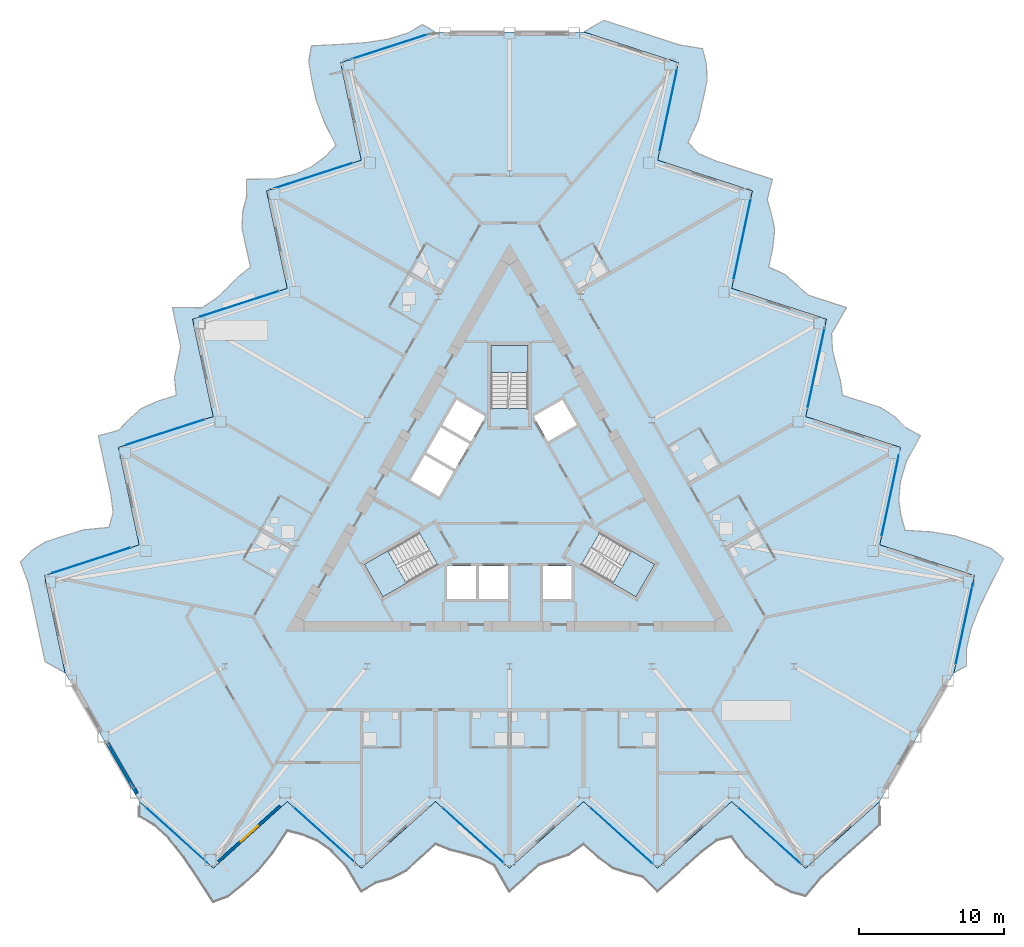
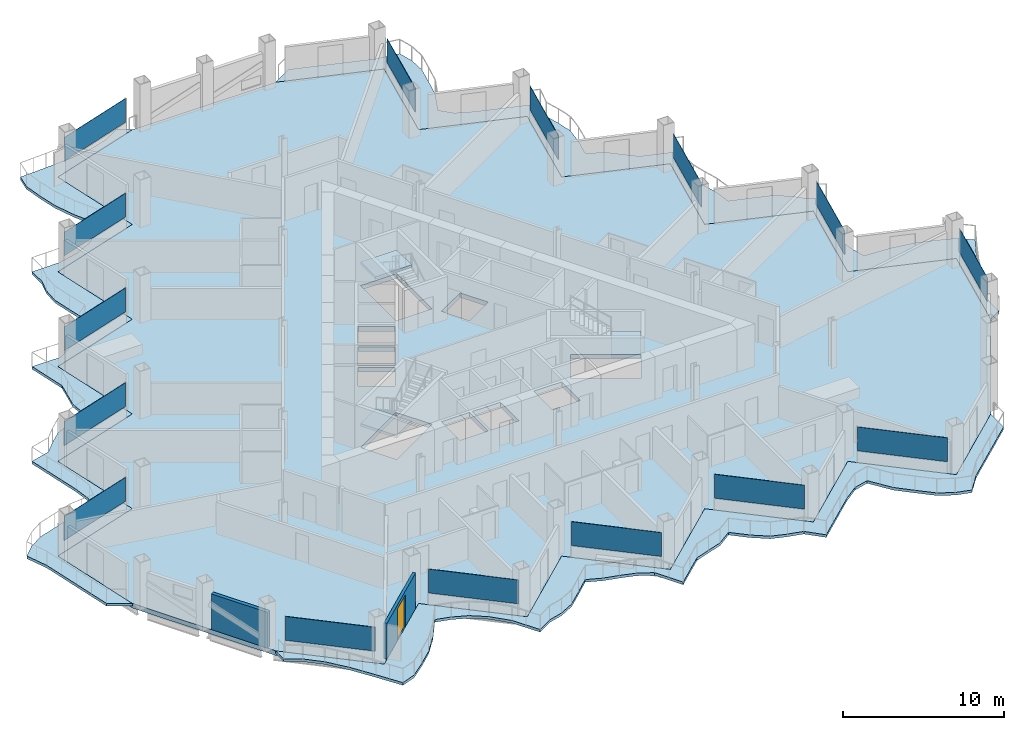
# One storey, part 9 of 23: 15 plates, 7 slabs, 2 walls, 1 door, 1 opening, 18 elements without a shape of their own.
"""IFC4 building model written with IfcOpenShell, lengths in metres."""

import ifcopenshell
import ifcopenshell.guid

model = None  # the IFC model being written
_history = None  # IfcOwnerHistory: only IFC2X3 demands one
_inside = {}  # id of a spatial element -> (the spatial element, [elements in it])
_under = {}  # id of a project, library or spatial element -> (it, [spatial elements below it])
_declared = {}  # id of a project -> (the project, [libraries it declares])
_typed = {}  # id of a type object -> (the type object, [elements of that type])
_made_of = {}  # id of a material, layer set ... -> (it, [elements and type objects made of it])


def new_model(schema):
    """Start an empty IFC model of exactly this schema.

    Asked for "IFC4X3", IfcOpenShell would pick the latest addendum, in which some entities
    have other attributes; the version numbers below select the first issue.
    IFC2X3 requires an IfcOwnerHistory on every rooted entity: one is made here for all.
    """
    global model, _history
    if schema == "IFC4X3":
        model = ifcopenshell.file(schema_version=(4, 3, 0, 0))
    else:
        model = ifcopenshell.file(schema=schema)
    _inside.clear()
    _under.clear()
    _declared.clear()
    _typed.clear()
    _made_of.clear()
    _history = None
    if model.schema == "IFC2X3":
        org = make("IfcOrganization", Name="unknown")
        user = make(
            "IfcPersonAndOrganization",
            ThePerson=make("IfcPerson", FamilyName="unknown"),
            TheOrganization=org,
        )
        app = make(
            "IfcApplication",
            ApplicationDeveloper=org,
            Version="unknown",
            ApplicationFullName="unknown",
            ApplicationIdentifier="unknown",
        )
        _history = make(
            "IfcOwnerHistory",
            OwningUser=user,
            OwningApplication=app,
            ChangeAction="ADDED",
            CreationDate=0,
        )
    return model


def make(cls, **values):
    """One entity of the class cls with the attributes given. An attribute that is None is left unset."""
    return model.create_entity(
        cls, **{name: value for name, value in values.items() if value is not None}
    )


def rooted(cls, **values):
    """An entity with a GlobalId (a new one), such as an element, a storey or a relation."""
    return make(cls, GlobalId=ifcopenshell.guid.new(), OwnerHistory=_history, **values)


def si_unit(unit_type, name, prefix=None):
    """IfcSIUnit, for example si_unit("LENGTHUNIT", "METRE", prefix="MILLI")."""
    return make("IfcSIUnit", UnitType=unit_type, Prefix=prefix, Name=name)


def assignment(units):
    """IfcUnitAssignment: the units of a project."""
    return None if units is None else make("IfcUnitAssignment", Units=units)


def point(xyz):
    """IfcCartesianPoint."""
    return None if xyz is None else make("IfcCartesianPoint", Coordinates=xyz)


def direction(xyz):
    """IfcDirection."""
    return None if xyz is None else make("IfcDirection", DirectionRatios=xyz)


def frame(location, z_axis=None, x_axis=None):
    """IfcAxis2Placement3D, a coordinate frame: its origin and axes. An axis left out is left unset."""
    return make(
        "IfcAxis2Placement3D",
        Location=point(location),
        Axis=direction(z_axis),
        RefDirection=direction(x_axis),
    )


def frame_2d(location, x_axis=None):
    """IfcAxis2Placement2D, a coordinate frame in the plane: its origin and x axis."""
    return make(
        "IfcAxis2Placement2D", Location=point(location), RefDirection=direction(x_axis)
    )


def origin():
    """The frame at (0, 0, 0) with its axes left unset."""
    return frame((0.0, 0.0, 0.0))


def origin_2d():
    """The frame at (0, 0) in the plane with its x axis left unset."""
    return frame_2d((0.0, 0.0))


def place(relative_to, where):
    """IfcLocalPlacement: puts the frame where relative to a parent placement (None: the world)."""
    return make(
        "IfcLocalPlacement", PlacementRelTo=relative_to, RelativePlacement=where
    )


def context(
    kind, dimensions, precision=None, world=None, true_north=None, identifier=None
):
    """IfcGeometricRepresentationContext, for example the 3D "Model" context."""
    return make(
        "IfcGeometricRepresentationContext",
        ContextIdentifier=identifier,
        ContextType=kind,
        CoordinateSpaceDimension=dimensions,
        Precision=precision,
        WorldCoordinateSystem=world,
        TrueNorth=true_north,
    )


def subcontext(parent, identifier, kind, view, scale=None):
    """IfcGeometricRepresentationSubContext, for example "Body" below "Model"."""
    return make(
        "IfcGeometricRepresentationSubContext",
        ContextIdentifier=identifier,
        ContextType=kind,
        ParentContext=parent,
        TargetScale=scale,
        TargetView=view,
    )


def project(units=None, contexts=None):
    """IfcProject with its units and contexts."""
    return rooted(
        "IfcProject",
        Name="project",
        RepresentationContexts=contexts,
        UnitsInContext=assignment(units),
    )


def spatial(cls, under=None, at=None, **own):
    """A site, building, storey or space (cls), placed at a placement, below another one or the project."""
    s = rooted(cls, ObjectPlacement=at, **own)
    if under is not None:
        _under.setdefault(under.id(), (under, []))[1].append(s)
    return s


def polyline(points):
    """IfcPolyline through the points."""
    return make("IfcPolyline", Points=[point(p) for p in points])


def profile(cls, at=None, kind="AREA", **sizes):
    """A parametric profile (cls). Its sizes go by their IFC names, for example OverallWidth=200.0."""
    return make(cls, ProfileType=kind, Position=at, **sizes)


def rectangle(**sizes):
    """IfcRectangleProfileDef."""
    return profile("IfcRectangleProfileDef", **sizes)


def outline(outer, holes=None, kind="AREA"):
    """IfcArbitraryClosedProfileDef: a profile drawn as a closed curve; with holes, ...WithVoids."""
    if holes is None:
        return make("IfcArbitraryClosedProfileDef", ProfileType=kind, OuterCurve=outer)
    return make(
        "IfcArbitraryProfileDefWithVoids",
        ProfileType=kind,
        OuterCurve=outer,
        InnerCurves=holes,
    )


def extrude(swept, where, along, depth):
    """IfcExtrudedAreaSolid: the profile swept, set in the frame where, extruded along a direction by depth."""
    return make(
        "IfcExtrudedAreaSolid",
        SweptArea=swept,
        Position=where,
        ExtrudedDirection=direction(along),
        Depth=depth,
    )


def shape(context_of_items, identifier, shape_type, items):
    """IfcShapeRepresentation: the items that make up one representation, for example the "Body"."""
    return make(
        "IfcShapeRepresentation",
        ContextOfItems=context_of_items,
        RepresentationIdentifier=identifier,
        RepresentationType=shape_type,
        Items=items,
    )


def material(Name=None, Category=None):
    """IfcMaterial."""
    return make("IfcMaterial", Name=Name, Category=Category)


def layer(
    of_material, thickness, ventilated=None, Name=None, Category=None, Priority=None
):
    """IfcMaterialLayer: one layer of a wall or slab, of a material (None: an air gap)."""
    return make(
        "IfcMaterialLayer",
        Material=of_material,
        LayerThickness=thickness,
        IsVentilated=ventilated,
        Name=Name,
        Category=Category,
        Priority=Priority,
    )


def layer_set(layers, Name=None):
    """IfcMaterialLayerSet."""
    return make("IfcMaterialLayerSet", MaterialLayers=layers, LayerSetName=Name)


def made_of(thing, what):
    """Note that an element or type object is made of a material, layer set ...; save() writes the relation."""
    if what is not None:
        _made_of.setdefault(what.id(), (what, []))[1].append(thing)
    return thing


def type_object(cls, material=None, **own):
    """A type object (cls), such as IfcWallType, which elements share."""
    return made_of(rooted(cls, **own), material)


def element(
    cls,
    number,
    at=None,
    inside=None,
    cuts=None,
    type_object=None,
    material=None,
    context=None,
    identifier="Body",
    shape_type=None,
    held_by="IfcProductDefinitionShape",
    body=None,
    shapes=None,
    **own,
):
    """One element of the class cls, such as IfcWall. Its Tag is "e" and its number.

    at: its placement. inside: the storey or other place that contains it. cuts: it is an
    opening in that element (IfcRelVoidsElement). A single representation is given by context,
    identifier, shape_type and body (its items); several are given by shapes. held_by: the class
    of the entity that holds the representations. save() writes the other relations.
    """
    e = rooted(cls, Tag="e%d" % number, ObjectPlacement=at, **own)
    if body is not None:
        shapes = [shape(context, identifier, shape_type, body)]
    if shapes is not None:
        e.Representation = make(held_by, Representations=shapes)
    if inside is not None:
        _inside.setdefault(inside.id(), (inside, []))[1].append(e)
    if cuts is not None:
        rooted(
            "IfcRelVoidsElement", RelatingBuildingElement=cuts, RelatedOpeningElement=e
        )
    if type_object is not None:
        _typed.setdefault(type_object.id(), (type_object, []))[1].append(e)
    return made_of(e, material)


def fill(opening, filler):
    """IfcRelFillsElement: the door or window that sits in an opening."""
    return rooted(
        "IfcRelFillsElement",
        RelatingOpeningElement=opening,
        RelatedBuildingElement=filler,
    )


def aggregate(whole, parts):
    """IfcRelAggregates: a whole, such as a stair, and the parts it consists of."""
    return rooted("IfcRelAggregates", RelatingObject=whole, RelatedObjects=parts)


def save(model, path):
    """Write the relations noted so far, then the file.

    IfcRelAggregates (storeys below a building ...), IfcRelContainedInSpatialStructure (elements
    in a storey), IfcRelDefinesByType, IfcRelAssociatesMaterial and IfcRelDeclares: one each for
    every whole, place, type object, material and project.
    """
    for whole, parts in _under.values():
        aggregate(whole, parts)
    for where, things in _inside.values():
        rooted(
            "IfcRelContainedInSpatialStructure",
            RelatedElements=things,
            RelatingStructure=where,
        )
    for kind, things in _typed.values():
        rooted("IfcRelDefinesByType", RelatedObjects=things, RelatingType=kind)
    for what, things in _made_of.values():
        rooted("IfcRelAssociatesMaterial", RelatedObjects=things, RelatingMaterial=what)
    for by, libraries in _declared.values():
        rooted("IfcRelDeclares", RelatingContext=by, RelatedDefinitions=libraries)
    model.write(path)


model = new_model("IFC4")

# Units and contexts
model_context = context("Model", 3, precision=1e-05, world=origin(), true_north=direction((0.0, 1.0)))
body_context = subcontext(model_context, "Body", "Model", "MODEL_VIEW")
ifc_project = project(units=[si_unit("LENGTHUNIT", "METRE"), si_unit("AREAUNIT", "SQUARE_METRE"), si_unit("VOLUMEUNIT", "CUBIC_METRE"), si_unit("PLANEANGLEUNIT", "RADIAN"), si_unit("MASSUNIT", "GRAM", prefix="KILO")], contexts=[model_context])

# Site, building, storey
site_placement = place(None, origin())
site = spatial("IfcSite", under=ifc_project, at=site_placement, CompositionType="ELEMENT")
building_placement = place(site_placement, origin())
building = spatial("IfcBuilding", under=site, at=building_placement, Name="Cormorant Prow Tower", CompositionType="ELEMENT")
storey_placement = place(building_placement, frame((0.0, 0.0, 172.800048828125)))
storey = spatial("IfcBuildingStorey", under=building, at=storey_placement, Name="L36", CompositionType="ELEMENT", Elevation=172.800048828125)

# Slabs
ifc_material_1 = material(Name="Concrete C40/50", Category="concrete")
ifc_layer_1 = layer(ifc_material_1, 0.199951171875)
ifc_layer_set_1 = layer_set([ifc_layer_1], Name="Concrete C40/50")
slab_type_1 = type_object("IfcSlabType", Name="Balcony slab 200", PredefinedType="FLOOR", material=ifc_layer_set_1)
slab_1_placement = place(storey_placement, frame((0.0, 0.0, -0.199951171875)))
element("IfcSlab", 1, at=slab_1_placement, inside=storey, type_object=slab_type_1, Name="Balcony slab S L36", PredefinedType="FLOOR", context=body_context, shape_type="SweptSolid", body=[
    extrude(outline(polyline([(-25.57861328125, -20.684326171875), (-25.57861328125, -21.700439453125), (-24.555419921875, -22.29296875), (-23.5322265625, -23.231201171875), (-22.509033203125, -24.510498046875), (-21.48583984375, -26.02880859375), (-20.462890625, -27.61572265625), (-19.439697265625, -27.239013671875), (-18.41650390625, -26.398193359375), (-17.393310546875, -25.476806640625), (-16.370361328125, -24.243896484375), (-15.34716796875, -22.6982421875), (-14.323974609375, -22.962646484375), (-13.30078125, -23.3818359375), (-12.277587890625, -24.09912109375), (-11.254638671875, -25.1728515625), (-10.2314453125, -26.890625), (-9.208251953125, -26.283203125), (-8.18505859375, -26.00341796875), (-7.161865234375, -25.476806640625), (-6.138916015625, -24.5556640625), (-5.11572265625, -23.614013671875), (-4.092529296875, -24.0234375), (-3.0693359375, -24.285400390625), (-2.04638671875, -24.58740234375), (-1.023193359375, -25.106689453125), (0.0, -26.890625), (1.023193359375, -25.96923828125), (2.04638671875, -25.048095703125), (3.0693359375, -24.694580078125), (4.092529296875, -24.363525390625), (5.11572265625, -23.63427734375), (6.138916015625, -24.5556640625), (7.161865234375, -25.290771484375), (8.18505859375, -25.6240234375), (9.208251953125, -25.87841796875), (10.2314453125, -26.890625), (11.254638671875, -25.96923828125), (12.277587890625, -25.048095703125), (13.30078125, -24.126953125), (14.323974609375, -23.355712890625), (15.34716796875, -23.0947265625), (16.370361328125, -24.530517578125), (17.393310546875, -25.476806640625), (18.41650390625, -26.398193359375), (19.439697265625, -26.931640625), (20.462890625, -27.212890625), (21.48583984375, -25.96923828125), (22.509033203125, -25.048095703125), (23.5322265625, -24.126953125), (24.555419921875, -23.20556640625), (25.57861328125, -22.284423828125), (25.57861328125, -20.684326171875), (24.555419921875, -21.605712890625), (23.5322265625, -22.52685546875), (22.509033203125, -23.447998046875), (21.48583984375, -24.369384765625), (20.462890625, -25.29052734375), (19.439697265625, -24.369384765625), (18.41650390625, -23.447998046875), (17.393310546875, -22.52685546875), (16.370361328125, -21.605712890625), (15.34716796875, -20.684326171875), (14.323974609375, -21.605712890625), (13.30078125, -22.52685546875), (12.277587890625, -23.447998046875), (11.254638671875, -24.369384765625), (10.2314453125, -25.29052734375), (9.208251953125, -24.369384765625), (8.18505859375, -23.447998046875), (7.161865234375, -22.52685546875), (6.138916015625, -21.605712890625), (5.11572265625, -20.684326171875), (4.092529296875, -21.605712890625), (3.0693359375, -22.52685546875), (2.04638671875, -23.447998046875), (1.023193359375, -24.369384765625), (0.0, -25.29052734375), (-1.023193359375, -24.369384765625), (-2.04638671875, -23.447998046875), (-3.0693359375, -22.52685546875), (-4.092529296875, -21.605712890625), (-5.11572265625, -20.684326171875), (-6.138916015625, -21.605712890625), (-7.161865234375, -22.52685546875), (-8.18505859375, -23.447998046875), (-9.208251953125, -24.369384765625), (-10.2314453125, -25.29052734375), (-11.254638671875, -24.369384765625), (-12.277587890625, -23.447998046875), (-13.30078125, -22.52685546875), (-14.323974609375, -21.605712890625), (-15.34716796875, -20.684326171875), (-16.370361328125, -21.605712890625), (-17.393310546875, -22.52685546875), (-18.41650390625, -23.447998046875), (-19.439697265625, -24.369384765625), (-20.462890625, -25.29052734375), (-21.48583984375, -24.369384765625), (-22.509033203125, -23.447998046875), (-23.5322265625, -22.52685546875), (-24.555419921875, -21.605712890625), (-25.57861328125, -20.684326171875)])), origin(), (0.0, 0.0, 1.0), 0.199951171875),
])
slab_2_placement = place(storey_placement, frame((0.0, 0.0, -0.199951171875)))
element("IfcSlab", 2, at=slab_2_placement, inside=storey, type_object=slab_type_1, Name="Balcony slab ENE L36", PredefinedType="FLOOR", context=body_context, shape_type="SweptSolid", body=[
    extrude(outline(polyline([(30.702392578125, -11.8095703125), (31.58251953125, -11.301513671875), (31.583984375, -10.119140625), (31.885009765625, -8.763916015625), (32.4814453125, -7.238037109375), (33.28466796875, -5.593017578125), (34.1474609375, -3.913330078125), (33.309326171875, -3.2158203125), (32.069580078125, -2.750244140625), (30.76025390625, -2.32470703125), (29.180908203125, -2.05517578125), (27.330810546875, -1.94189453125), (27.048095703125, -0.923583984375), (26.899658203125, 0.172119140625), (27.00927734375, 1.416748046875), (27.427490234375, 2.839599609375), (28.403564453125, 4.584716796875), (27.3662109375, 5.1669921875), (26.612060546875, 5.9130859375), (25.64453125, 6.535888671875), (24.335205078125, 6.96142578125), (23.008056640625, 7.376708984375), (22.851318359375, 8.467529296875), (22.56640625, 9.484375), (22.316650390625, 10.521728515625), (22.254638671875, 11.667236328125), (23.287841796875, 13.4453125), (21.978515625, 13.870849609375), (20.669189453125, 14.296142578125), (19.851318359375, 15.00537109375), (19.05322265625, 15.72607421875), (17.91015625, 16.24755859375), (18.1962890625, 17.59423828125), (18.321533203125, 18.847900390625), (18.098388671875, 19.900390625), (17.80712890625, 20.913818359375), (18.172119140625, 22.305908203125), (16.86279296875, 22.7314453125), (15.553466796875, 23.15673828125), (14.244140625, 23.582275390625), (13.064697265625, 24.082763671875), (12.3271484375, 24.83837890625), (13.058837890625, 26.4423828125), (13.366943359375, 27.801513671875), (13.653076171875, 29.148193359375), (13.603759765625, 30.301025390625), (13.335693359375, 31.32763671875), (11.7470703125, 31.592041015625), (10.437744140625, 32.017578125), (9.12841796875, 32.44287109375), (7.819091796875, 32.868408203125), (6.509521484375, 33.2939453125), (5.1240234375, 32.493896484375), (6.433349609375, 32.068359375), (7.74267578125, 31.64306640625), (9.052001953125, 31.217529296875), (10.361572265625, 30.7919921875), (11.6708984375, 30.36669921875), (11.384521484375, 29.02001953125), (11.098388671875, 27.67333984375), (10.812255859375, 26.32666015625), (10.52587890625, 24.97998046875), (10.23974609375, 23.63330078125), (11.549072265625, 23.207763671875), (12.8583984375, 22.7822265625), (14.167724609375, 22.35693359375), (15.477294921875, 21.931396484375), (16.78662109375, 21.505859375), (16.500244140625, 20.1591796875), (16.214111328125, 18.8125), (15.927734375, 17.4658203125), (15.6416015625, 16.119140625), (15.35546875, 14.7724609375), (16.664794921875, 14.34716796875), (17.97412109375, 13.921630859375), (19.283447265625, 13.49609375), (20.593017578125, 13.07080078125), (21.90234375, 12.645263671875), (21.615966796875, 11.298583984375), (21.329833984375, 9.951904296875), (21.04345703125, 8.605224609375), (20.75732421875, 7.258544921875), (20.470947265625, 5.911865234375), (21.780517578125, 5.486328125), (23.08984375, 5.06103515625), (24.399169921875, 4.635498046875), (25.70849609375, 4.2099609375), (27.01806640625, 3.78466796875), (26.731689453125, 2.43798828125), (26.445556640625, 1.09130859375), (26.1591796875, -0.25537109375), (25.873046875, -1.60205078125), (25.586669921875, -2.94873046875), (26.896240234375, -3.374267578125), (28.20556640625, -3.7998046875), (29.514892578125, -4.22509765625), (30.82421875, -4.650634765625), (32.1337890625, -5.075927734375), (31.847412109375, -6.422607421875), (31.561279296875, -7.769287109375), (31.27490234375, -9.115966796875), (30.98876953125, -10.462890625), (30.702392578125, -11.8095703125)])), origin(), (0.0, 0.0, 1.0), 0.199951171875),
])
slab_3_placement = place(storey_placement, frame((0.0, 0.0, -0.199951171875)))
element("IfcSlab", 3, at=slab_3_placement, inside=storey, type_object=slab_type_1, Name="Balcony slab WNW L36", PredefinedType="FLOOR", context=body_context, shape_type="SweptSolid", body=[
    extrude(outline(polyline([(-5.1240234375, 32.493896484375), (-6.00390625, 33.001953125), (-7.028564453125, 32.412109375), (-8.352783203125, 31.9951171875), (-9.97216796875, 31.748779296875), (-11.798828125, 31.621826171875), (-13.6845703125, 31.529296875), (-13.869873046875, 30.45458984375), (-13.653076171875, 29.148193359375), (-13.366943359375, 27.801513671875), (-12.810791015625, 26.299072265625), (-11.983642578125, 24.64013671875), (-12.72412109375, 23.88623046875), (-13.598876953125, 23.209716796875), (-14.731689453125, 22.682373046875), (-16.1728515625, 22.3330078125), (-18.172119140625, 22.305908203125), (-18.157958984375, 21.1162109375), (-18.427001953125, 20.09033203125), (-18.482666015625, 18.94091796875), (-18.1962890625, 17.59423828125), (-17.892333984375, 16.2373046875), (-18.7587890625, 15.555908203125), (-19.4970703125, 14.80078125), (-20.270263671875, 14.06591796875), (-21.2314453125, 13.439453125), (-23.287841796875, 13.4453125), (-23.001708984375, 12.0986328125), (-22.71533203125, 10.751953125), (-22.9208984375, 9.68896484375), (-23.145751953125, 8.637451171875), (-23.02587890625, 7.386962890625), (-24.335205078125, 6.96142578125), (-25.4833984375, 6.44287109375), (-26.283447265625, 5.723388671875), (-27.015380859375, 4.964599609375), (-28.403564453125, 4.584716796875), (-28.117431640625, 3.238037109375), (-27.8310546875, 1.891357421875), (-27.544921875, 0.544677734375), (-27.388671875, -0.72705078125), (-27.674072265625, -1.74365234375), (-29.42919921875, -1.911865234375), (-30.76025390625, -2.32470703125), (-32.069580078125, -2.750244140625), (-33.04345703125, -3.369384765625), (-33.79833984375, -4.114990234375), (-33.233154296875, -5.622802734375), (-32.94677734375, -6.969482421875), (-32.66064453125, -8.316162109375), (-32.374267578125, -9.662841796875), (-32.088134765625, -11.009521484375), (-30.702392578125, -11.8095703125), (-30.98876953125, -10.462890625), (-31.27490234375, -9.115966796875), (-31.561279296875, -7.769287109375), (-31.847412109375, -6.422607421875), (-32.1337890625, -5.075927734375), (-30.82421875, -4.650634765625), (-29.514892578125, -4.22509765625), (-28.20556640625, -3.7998046875), (-26.896240234375, -3.374267578125), (-25.586669921875, -2.94873046875), (-25.873046875, -1.60205078125), (-26.1591796875, -0.25537109375), (-26.445556640625, 1.09130859375), (-26.731689453125, 2.43798828125), (-27.01806640625, 3.78466796875), (-25.70849609375, 4.2099609375), (-24.399169921875, 4.635498046875), (-23.08984375, 5.06103515625), (-21.780517578125, 5.486328125), (-20.470947265625, 5.911865234375), (-20.75732421875, 7.258544921875), (-21.04345703125, 8.605224609375), (-21.329833984375, 9.951904296875), (-21.615966796875, 11.298583984375), (-21.90234375, 12.645263671875), (-20.593017578125, 13.07080078125), (-19.283447265625, 13.49609375), (-17.97412109375, 13.921630859375), (-16.664794921875, 14.34716796875), (-15.35546875, 14.7724609375), (-15.6416015625, 16.119140625), (-15.927734375, 17.4658203125), (-16.214111328125, 18.8125), (-16.500244140625, 20.1591796875), (-16.78662109375, 21.505859375), (-15.477294921875, 21.931396484375), (-14.167724609375, 22.35693359375), (-12.8583984375, 22.7822265625), (-11.549072265625, 23.207763671875), (-10.23974609375, 23.63330078125), (-10.52587890625, 24.97998046875), (-10.812255859375, 26.32666015625), (-11.098388671875, 27.67333984375), (-11.384521484375, 29.02001953125), (-11.6708984375, 30.36669921875), (-10.361572265625, 30.7919921875), (-9.052001953125, 31.217529296875), (-7.74267578125, 31.64306640625), (-6.433349609375, 32.068359375), (-5.1240234375, 32.493896484375)])), origin(), (0.0, 0.0, 1.0), 0.199951171875),
])

# Curtain wall, plate
ifc_material_2 = material(Name="Aluminium 6063-T6", Category="aluminium")
ifc_layer_2 = layer(ifc_material_2, 0.179931640625)
ifc_layer_set_2 = layer_set([ifc_layer_2], Name="Aluminium 6063-T6")
curtain_wall_type = type_object("IfcCurtainWallType", Name="Hotel unitised curtain wall 180", PredefinedType="NOTDEFINED", material=ifc_layer_set_2)
curtain_wall_1_placement = place(storey_placement, origin())
curtain_wall_1 = element("IfcCurtainWall", 4, at=curtain_wall_1_placement, inside=storey, type_object=curtain_wall_type, Name="Hotel curtain wall S00", PredefinedType="NOTDEFINED")
ifc_material_3 = material(Name="Clear glass", Category="glass")
ifc_layer_3 = layer(ifc_material_3, 0.028076171875)
ifc_layer_set_3 = layer_set([ifc_layer_3], Name="Clear glass")
plate_type = type_object("IfcPlateType", Name="Hotel glass panel 28", PredefinedType="CURTAIN_PANEL", material=ifc_layer_set_3)
plate_1_placement = place(storey_placement, frame((-22.998291015625, -23.007568359375, 0.89990234375), z_axis=(0.0, 0.0, 1.0), x_axis=(0.743144931764, -0.669130488316, 0.0)))
plate_1 = element("IfcPlate", 5, at=plate_1_placement, type_object=plate_type, Name="Hotel glass panel S00", PredefinedType="CURTAIN_PANEL", context=body_context, shape_type="SweptSolid", body=[
    extrude(rectangle(XDim=5.687744140625, YDim=0.028076171875, at=origin_2d()), origin(), (0.0, 0.0, 1.0), 1.80078125),
])
aggregate(curtain_wall_1, [plate_1])

curtain_wall_2_placement = place(storey_placement, origin())
curtain_wall_2 = element("IfcCurtainWall", 6, at=curtain_wall_2_placement, inside=storey, type_object=curtain_wall_type, Name="Hotel curtain wall S02", PredefinedType="NOTDEFINED")
plate_2_placement = place(storey_placement, frame((-12.766845703125, -23.007568359375, 0.89990234375), z_axis=(0.0, 0.0, 1.0), x_axis=(0.743144866726, -0.669130560548, 0.0)))
plate_2 = element("IfcPlate", 7, at=plate_2_placement, type_object=plate_type, Name="Hotel glass panel S02", PredefinedType="CURTAIN_PANEL", context=body_context, shape_type="SweptSolid", body=[
    extrude(rectangle(XDim=5.687744140625, YDim=0.028076171875, at=origin_2d()), origin(), (0.0, 0.0, 1.0), 1.80078125),
])
aggregate(curtain_wall_2, [plate_2])

curtain_wall_3_placement = place(storey_placement, origin())
curtain_wall_3 = element("IfcCurtainWall", 8, at=curtain_wall_3_placement, inside=storey, type_object=curtain_wall_type, Name="Hotel curtain wall S04", PredefinedType="NOTDEFINED")
plate_3_placement = place(storey_placement, frame((-2.53564453125, -23.007568359375, 0.89990234375), z_axis=(0.0, 0.0, 1.0), x_axis=(0.743144866726, -0.669130560548, 0.0)))
plate_3 = element("IfcPlate", 9, at=plate_3_placement, type_object=plate_type, Name="Hotel glass panel S04", PredefinedType="CURTAIN_PANEL", context=body_context, shape_type="SweptSolid", body=[
    extrude(rectangle(XDim=5.687744140625, YDim=0.028076171875, at=origin_2d()), origin(), (0.0, 0.0, 1.0), 1.80078125),
])
aggregate(curtain_wall_3, [plate_3])

curtain_wall_4_placement = place(storey_placement, origin())
curtain_wall_4 = element("IfcCurtainWall", 10, at=curtain_wall_4_placement, inside=storey, type_object=curtain_wall_type, Name="Hotel curtain wall S06", PredefinedType="NOTDEFINED")
plate_4_placement = place(storey_placement, frame((7.69580078125, -23.007568359375, 0.89990234375), z_axis=(0.0, 0.0, 1.0), x_axis=(0.743144931764, -0.669130488316, 0.0)))
plate_4 = element("IfcPlate", 11, at=plate_4_placement, type_object=plate_type, Name="Hotel glass panel S06", PredefinedType="CURTAIN_PANEL", context=body_context, shape_type="SweptSolid", body=[
    extrude(rectangle(XDim=5.687744140625, YDim=0.028076171875, at=origin_2d()), origin(), (0.0, 0.0, 1.0), 1.80078125),
])
aggregate(curtain_wall_4, [plate_4])

curtain_wall_5_placement = place(storey_placement, origin())
curtain_wall_5 = element("IfcCurtainWall", 12, at=curtain_wall_5_placement, inside=storey, type_object=curtain_wall_type, Name="Hotel curtain wall S08", PredefinedType="NOTDEFINED")
plate_5_placement = place(storey_placement, frame((17.92724609375, -23.007568359375, 0.89990234375), z_axis=(0.0, 0.0, 1.0), x_axis=(0.743144866726, -0.669130560548, 0.0)))
plate_5 = element("IfcPlate", 13, at=plate_5_placement, type_object=plate_type, Name="Hotel glass panel S08", PredefinedType="CURTAIN_PANEL", context=body_context, shape_type="SweptSolid", body=[
    extrude(rectangle(XDim=5.687744140625, YDim=0.028076171875, at=origin_2d()), origin(), (0.0, 0.0, 1.0), 1.80078125),
])
aggregate(curtain_wall_5, [plate_5])

curtain_wall_6_placement = place(storey_placement, origin())
curtain_wall_6 = element("IfcCurtainWall", 14, at=curtain_wall_6_placement, inside=storey, type_object=curtain_wall_type, Name="Hotel curtain wall ENE00", PredefinedType="NOTDEFINED")
plate_6_placement = place(storey_placement, frame((31.42431640625, -8.413330078125, 0.89990234375), z_axis=(0.0, 0.0, 1.0), x_axis=(0.207911728478, 0.978147592729, 0.0)))
plate_6 = element("IfcPlate", 15, at=plate_6_placement, type_object=plate_type, Name="Hotel glass panel ENE00", PredefinedType="CURTAIN_PANEL", context=body_context, shape_type="SweptSolid", body=[
    extrude(rectangle(XDim=5.687744140625, YDim=0.028076171875, at=origin_2d()), origin(), (0.0, 0.0, 1.0), 1.80078125),
])
aggregate(curtain_wall_6, [plate_6])

curtain_wall_7_placement = place(storey_placement, origin())
curtain_wall_7 = element("IfcCurtainWall", 16, at=curtain_wall_7_placement, inside=storey, type_object=curtain_wall_type, Name="Hotel curtain wall ENE02", PredefinedType="NOTDEFINED")
plate_7_placement = place(storey_placement, frame((26.30859375, 0.447265625, 0.89990234375), z_axis=(0.0, 0.0, 1.0), x_axis=(0.207911589496, 0.97814762227, 0.0)))
plate_7 = element("IfcPlate", 17, at=plate_7_placement, type_object=plate_type, Name="Hotel glass panel ENE02", PredefinedType="CURTAIN_PANEL", context=body_context, shape_type="SweptSolid", body=[
    extrude(rectangle(XDim=5.687744140625, YDim=0.028076171875, at=origin_2d()), origin(), (0.0, 0.0, 1.0), 1.80078125),
])
aggregate(curtain_wall_7, [plate_7])

curtain_wall_8_placement = place(storey_placement, origin())
curtain_wall_8 = element("IfcCurtainWall", 18, at=curtain_wall_8_placement, inside=storey, type_object=curtain_wall_type, Name="Hotel curtain wall ENE04", PredefinedType="NOTDEFINED")
plate_8_placement = place(storey_placement, frame((21.19287109375, 9.307861328125, 0.89990234375), z_axis=(0.0, 0.0, 1.0), x_axis=(0.207911698927, 0.97814759901, 0.0)))
plate_8 = element("IfcPlate", 19, at=plate_8_placement, type_object=plate_type, Name="Hotel glass panel ENE04", PredefinedType="CURTAIN_PANEL", context=body_context, shape_type="SweptSolid", body=[
    extrude(rectangle(XDim=5.687744140625, YDim=0.028076171875, at=origin_2d()), origin(), (0.0, 0.0, 1.0), 1.80078125),
])
aggregate(curtain_wall_8, [plate_8])

curtain_wall_9_placement = place(storey_placement, origin())
curtain_wall_9 = element("IfcCurtainWall", 20, at=curtain_wall_9_placement, inside=storey, type_object=curtain_wall_type, Name="Hotel curtain wall ENE06", PredefinedType="NOTDEFINED")
plate_9_placement = place(storey_placement, frame((16.0771484375, 18.168701171875, 0.89990234375), z_axis=(0.0, 0.0, 1.0), x_axis=(0.207911728478, 0.978147592729, 0.0)))
plate_9 = element("IfcPlate", 21, at=plate_9_placement, type_object=plate_type, Name="Hotel glass panel ENE06", PredefinedType="CURTAIN_PANEL", context=body_context, shape_type="SweptSolid", body=[
    extrude(rectangle(XDim=5.687744140625, YDim=0.028076171875, at=origin_2d()), origin(), (0.0, 0.0, 1.0), 1.80078125),
])
aggregate(curtain_wall_9, [plate_9])

curtain_wall_10_placement = place(storey_placement, origin())
curtain_wall_10 = element("IfcCurtainWall", 22, at=curtain_wall_10_placement, inside=storey, type_object=curtain_wall_type, Name="Hotel curtain wall ENE08", PredefinedType="NOTDEFINED")
plate_10_placement = place(storey_placement, frame((10.96142578125, 27.029296875, 0.89990234375), z_axis=(0.0, 0.0, 1.0), x_axis=(0.207911728478, 0.978147592729, 0.0)))
plate_10 = element("IfcPlate", 23, at=plate_10_placement, type_object=plate_type, Name="Hotel glass panel ENE08", PredefinedType="CURTAIN_PANEL", context=body_context, shape_type="SweptSolid", body=[
    extrude(rectangle(XDim=5.687744140625, YDim=0.028076171875, at=origin_2d()), origin(), (0.0, 0.0, 1.0), 1.80078125),
])
aggregate(curtain_wall_10, [plate_10])

curtain_wall_11_placement = place(storey_placement, origin())
curtain_wall_11 = element("IfcCurtainWall", 24, at=curtain_wall_11_placement, inside=storey, type_object=curtain_wall_type, Name="Hotel curtain wall WNW00", PredefinedType="NOTDEFINED")
plate_11_placement = place(storey_placement, frame((-8.426025390625, 31.4208984375, 0.89990234375), z_axis=(0.0, 0.0, 1.0), x_axis=(-0.951056492009, -0.309017069121, 0.0)))
plate_11 = element("IfcPlate", 25, at=plate_11_placement, type_object=plate_type, Name="Hotel glass panel WNW00", PredefinedType="CURTAIN_PANEL", context=body_context, shape_type="SweptSolid", body=[
    extrude(rectangle(XDim=5.687744140625, YDim=0.028076171875, at=origin_2d()), origin(), (0.0, 0.0, 1.0), 1.80078125),
])
aggregate(curtain_wall_11, [plate_11])

curtain_wall_12_placement = place(storey_placement, origin())
curtain_wall_12 = element("IfcCurtainWall", 26, at=curtain_wall_12_placement, inside=storey, type_object=curtain_wall_type, Name="Hotel curtain wall WNW02", PredefinedType="NOTDEFINED")
plate_12_placement = place(storey_placement, frame((-13.541748046875, 22.560302734375, 0.89990234375), z_axis=(0.0, 0.0, 1.0), x_axis=(-0.951056492009, -0.309017069121, 0.0)))
plate_12 = element("IfcPlate", 27, at=plate_12_placement, type_object=plate_type, Name="Hotel glass panel WNW02", PredefinedType="CURTAIN_PANEL", context=body_context, shape_type="SweptSolid", body=[
    extrude(rectangle(XDim=5.687744140625, YDim=0.028076171875, at=origin_2d()), origin(), (0.0, 0.0, 1.0), 1.80078125),
])
aggregate(curtain_wall_12, [plate_12])

curtain_wall_13_placement = place(storey_placement, origin())
curtain_wall_13 = element("IfcCurtainWall", 28, at=curtain_wall_13_placement, inside=storey, type_object=curtain_wall_type, Name="Hotel curtain wall WNW04", PredefinedType="NOTDEFINED")
plate_13_placement = place(storey_placement, frame((-18.657470703125, 13.69970703125, 0.89990234375), z_axis=(0.0, 0.0, 1.0), x_axis=(-0.951056534703, -0.309016937722, 0.0)))
plate_13 = element("IfcPlate", 29, at=plate_13_placement, type_object=plate_type, Name="Hotel glass panel WNW04", PredefinedType="CURTAIN_PANEL", context=body_context, shape_type="SweptSolid", body=[
    extrude(rectangle(XDim=5.687744140625, YDim=0.028076171875, at=origin_2d()), origin(), (0.0, 0.0, 1.0), 1.80078125),
])
aggregate(curtain_wall_13, [plate_13])

curtain_wall_14_placement = place(storey_placement, origin())
curtain_wall_14 = element("IfcCurtainWall", 30, at=curtain_wall_14_placement, inside=storey, type_object=curtain_wall_type, Name="Hotel curtain wall WNW06", PredefinedType="NOTDEFINED")
plate_14_placement = place(storey_placement, frame((-23.77294921875, 4.8388671875, 0.89990234375), z_axis=(0.0, 0.0, 1.0), x_axis=(-0.951056534703, -0.309016937722, 0.0)))
plate_14 = element("IfcPlate", 31, at=plate_14_placement, type_object=plate_type, Name="Hotel glass panel WNW06", PredefinedType="CURTAIN_PANEL", context=body_context, shape_type="SweptSolid", body=[
    extrude(rectangle(XDim=5.687744140625, YDim=0.028076171875, at=origin_2d()), origin(), (0.0, 0.0, 1.0), 1.80078125),
])
aggregate(curtain_wall_14, [plate_14])

curtain_wall_15_placement = place(storey_placement, origin())
curtain_wall_15 = element("IfcCurtainWall", 32, at=curtain_wall_15_placement, inside=storey, type_object=curtain_wall_type, Name="Hotel curtain wall WNW08", PredefinedType="NOTDEFINED")
plate_15_placement = place(storey_placement, frame((-28.888671875, -4.021728515625, 0.89990234375), z_axis=(0.0, 0.0, 1.0), x_axis=(-0.951056492009, -0.309017069121, 0.0)))
plate_15 = element("IfcPlate", 33, at=plate_15_placement, type_object=plate_type, Name="Hotel glass panel WNW08", PredefinedType="CURTAIN_PANEL", context=body_context, shape_type="SweptSolid", body=[
    extrude(rectangle(XDim=5.687744140625, YDim=0.028076171875, at=origin_2d()), origin(), (0.0, 0.0, 1.0), 1.80078125),
])
aggregate(curtain_wall_15, [plate_15])

# Slab
ifc_material_4 = material(Name="Concrete C40/50", Category="concrete")
ifc_layer_4 = layer(ifc_material_4, 0.35009765625)
ifc_layer_set_4 = layer_set([ifc_layer_4], Name="Concrete C40/50")
slab_type_2 = type_object("IfcSlabType", Name="Post-tensioned flat slab 350", PredefinedType="FLOOR", material=ifc_layer_set_4)
slab_4_placement = place(storey_placement, frame((0.0, 0.0, -0.35009765625)))
element("IfcSlab", 34, at=slab_4_placement, inside=storey, type_object=slab_type_2, Name="Floor slab L36", PredefinedType="FLOOR", context=body_context, shape_type="SweptSolid", body=[
    extrude(outline(polyline([(-10.23974609375, 23.63330078125), (-16.78662109375, 21.505859375), (-15.35546875, 14.7724609375), (-21.90234375, 12.645263671875), (-20.470947265625, 5.911865234375), (-27.01806640625, 3.78466796875), (-25.586669921875, -2.94873046875), (-32.1337890625, -5.075927734375), (-30.702392578125, -11.8095703125), (-28.140380859375, -16.246826171875), (-25.57861328125, -20.684326171875), (-20.462890625, -25.29052734375), (-15.34716796875, -20.684326171875), (-10.2314453125, -25.29052734375), (-5.11572265625, -20.684326171875), (0.0, -25.29052734375), (5.11572265625, -20.684326171875), (10.2314453125, -25.29052734375), (15.34716796875, -20.684326171875), (20.462890625, -25.29052734375), (25.57861328125, -20.684326171875), (28.140380859375, -16.246826171875), (30.702392578125, -11.8095703125), (32.1337890625, -5.075927734375), (25.586669921875, -2.94873046875), (27.01806640625, 3.78466796875), (20.470947265625, 5.911865234375), (21.90234375, 12.645263671875), (15.35546875, 14.7724609375), (16.78662109375, 21.505859375), (10.23974609375, 23.63330078125), (11.6708984375, 30.36669921875), (5.1240234375, 32.493896484375), (0.0, 32.493896484375), (-5.1240234375, 32.493896484375), (-11.6708984375, 30.36669921875), (-10.23974609375, 23.63330078125)]), holes=[polyline([(-4.300048828125, -4.39990234375), (-2.300048828125, -4.39990234375), (-2.300048828125, -6.699951171875), (-4.300048828125, -6.699951171875), (-4.300048828125, -4.39990234375)]), polyline([(-0.10009765625, -4.39990234375), (-0.10009765625, -6.699951171875), (-2.10009765625, -6.699951171875), (-2.10009765625, -4.39990234375), (-0.10009765625, -4.39990234375)]), polyline([(4.300048828125, -6.699951171875), (2.300048828125, -6.699951171875), (2.300048828125, -4.39990234375), (4.300048828125, -4.39990234375), (4.300048828125, -6.699951171875)]), polyline([(4.65234375, 5.341796875), (2.660400390625, 4.19189453125), (1.660400390625, 5.923828125), (3.65234375, 7.073974609375), (4.65234375, 5.341796875)]), polyline([(-1.660400390625, 5.923828125), (-2.660400390625, 4.19189453125), (-4.65234375, 5.341796875), (-3.65234375, 7.073974609375), (-1.660400390625, 5.923828125)]), polyline([(-3.760498046875, 2.28662109375), (-5.75244140625, 3.4365234375), (-4.75244140625, 5.168701171875), (-2.760498046875, 4.018798828125), (-3.760498046875, 2.28662109375)]), polyline([(-6.852294921875, 1.53125), (-5.852294921875, 3.263427734375), (-3.860595703125, 2.11328125), (-4.860595703125, 0.38134765625), (-6.852294921875, 1.53125)]), polyline([(-4.947509765625, -4.3505859375), (-8.738037109375, -6.5390625), (-10.031982421875, -4.2978515625), (-6.241455078125, -2.109375), (-4.947509765625, -4.3505859375)]), polyline([(10.031982421875, -4.2978515625), (8.738037109375, -6.5390625), (4.947509765625, -4.3505859375), (6.241455078125, -2.109375), (10.031982421875, -4.2978515625)]), polyline([(1.2939453125, 10.8369140625), (1.2939453125, 6.459716796875), (-1.2939453125, 6.459716796875), (-1.2939453125, 10.8369140625), (1.2939453125, 10.8369140625)])]), origin(), (0.0, 0.0, 1.0), 0.35009765625),
])

# Stair, slab
ifc_material_5 = material(Name="Exit stair 20 risers")
stair_type = type_object("IfcStairType", Name="Exit stair 20 risers", PredefinedType="HALF_TURN_STAIR", material=ifc_material_5)
stair_1_placement = place(storey_placement, origin())
stair_1 = element("IfcStair", 35, at=stair_1_placement, inside=storey, type_object=stair_type, Name="L36 Exit stair ST1", PredefinedType="HALF_TURN_STAIR")
ifc_material_6 = material(Name="Concrete 5000 psi", Category="concrete")
ifc_layer_5 = layer(ifc_material_6, 0.199951171875)
ifc_layer_set_5 = layer_set([ifc_layer_5], Name="Concrete 5000 psi")
slab_type_3 = type_object("IfcSlabType", Name="Stair landing 200", PredefinedType="LANDING", material=ifc_layer_set_5)
slab_5_placement = place(storey_placement, frame((0.0, 0.0, 1.599853515625)))
slab_5 = element("IfcSlab", 36, at=slab_5_placement, type_object=slab_type_3, Name="ST1 landing 1", PredefinedType="LANDING", context=body_context, shape_type="SweptSolid", body=[
    extrude(outline(polyline([(-8.416748046875, -3.365234375), (-10.031982421875, -4.2978515625), (-8.738037109375, -6.5390625), (-7.122802734375, -5.6064453125), (-8.416748046875, -3.365234375)])), origin(), (0.0, 0.0, 1.0), 0.2001953125),
])
aggregate(stair_1, [slab_5])

stair_2_placement = place(storey_placement, origin())
stair_2 = element("IfcStair", 37, at=stair_2_placement, inside=storey, type_object=stair_type, Name="L36 Exit stair ST2", PredefinedType="HALF_TURN_STAIR")
slab_6_placement = place(storey_placement, frame((0.0, 0.0, 1.599853515625)))
slab_6 = element("IfcSlab", 38, at=slab_6_placement, type_object=slab_type_3, Name="ST2 landing 1", PredefinedType="LANDING", context=body_context, shape_type="SweptSolid", body=[
    extrude(outline(polyline([(7.122802734375, -5.6064453125), (8.738037109375, -6.5390625), (10.031982421875, -4.2978515625), (8.416748046875, -3.365234375), (7.122802734375, -5.6064453125)])), origin(), (0.0, 0.0, 1.0), 0.2001953125),
])
aggregate(stair_2, [slab_6])

stair_3_placement = place(storey_placement, origin())
stair_3 = element("IfcStair", 39, at=stair_3_placement, inside=storey, type_object=stair_type, Name="L36 Exit stair ST3", PredefinedType="HALF_TURN_STAIR")
slab_7_placement = place(storey_placement, frame((0.0, 0.0, 1.599853515625)))
slab_7 = element("IfcSlab", 40, at=slab_7_placement, type_object=slab_type_3, Name="ST3 landing 1", PredefinedType="LANDING", context=body_context, shape_type="SweptSolid", body=[
    extrude(outline(polyline([(1.2939453125, 8.971923828125), (1.2939453125, 10.8369140625), (-1.2939453125, 10.8369140625), (-1.2939453125, 8.971923828125), (1.2939453125, 8.971923828125)])), origin(), (0.0, 0.0, 1.0), 0.2001953125),
])
aggregate(stair_3, [slab_7])

# Wall
ifc_material_7 = material(Name="Terracotta", Category="masonry")
ifc_layer_6 = layer(ifc_material_7, 0.25)
ifc_layer_set_6 = layer_set([ifc_layer_6], Name="Terracotta")
wall_type_1 = type_object("IfcWallType", Name="Terracotta bay wall 250", PredefinedType="SOLIDWALL", material=ifc_layer_set_6)
wall_1_placement = place(storey_placement, frame((-27.763671875, -16.649658203125, 0.0), z_axis=(0.0, 0.0, 1.0), x_axis=(0.500039726511, -0.866002466458, 0.0)))
element("IfcWall", 41, at=wall_1_placement, inside=storey, type_object=wall_type_1, Name="Terracotta bay wall WSW01", PredefinedType="SOLIDWALL", context=body_context, shape_type="SweptSolid", body=[
    extrude(rectangle(XDim=4.018798828125, YDim=0.25, at=frame_2d((2.00927734375, 0.0))), origin(), (0.0, 0.0, 1.0), 2.700927734375),
])

# Wall, opening, door
ifc_material_8 = material(Name="Terracotta", Category="masonry")
ifc_layer_7 = layer(ifc_material_8, 0.199951171875)
ifc_layer_set_7 = layer_set([ifc_layer_7], Name="Terracotta")
wall_type_2 = type_object("IfcWallType", Name="Terracotta jamb wall 200", PredefinedType="SOLIDWALL", material=ifc_layer_set_7)
wall_2_placement = place(storey_placement, frame((-20.107666015625, -24.836181640625, 0.0), z_axis=(0.0, 0.0, 1.0), x_axis=(0.74315473474, 0.669119600844, 0.0)))
wall_2 = element("IfcWall", 42, at=wall_2_placement, inside=storey, type_object=wall_type_2, Name="Terracotta jamb wall S01", PredefinedType="SOLIDWALL", context=body_context, shape_type="SweptSolid", body=[
    extrude(rectangle(XDim=5.747802734375, YDim=0.199951171875, at=frame_2d((2.8740234375, 0.0))), origin(), (0.0, 0.0, 1.0), 2.700927734375),
])
opening_placement = place(wall_2_placement, frame((2.073974609375, 0.0, 0.0)))
opening = element("IfcOpeningElement", 43, at=opening_placement, cuts=wall_2, Name="Opening ED36.01", PredefinedType="OPENING", context=body_context, shape_type="SweptSolid", body=[
    extrude(rectangle(XDim=1.60009765625, YDim=2.39990234375, at=frame_2d((0.800048828125, 1.199951171875))), frame((0.0, 0.10986328125, 0.0), z_axis=(0.0, -1.0, 0.0), x_axis=(1.0, 0.0, 0.0)), (0.0, 0.0, 1.0), 0.219970703125),
])
ifc_material_9 = material(Name="Aluminium 6063-T6", Category="aluminium")
door_type = type_object("IfcDoorType", Name="Balcony door 1600x2400", OperationType="DOUBLE_DOOR_SINGLE_SWING", PredefinedType="DOOR", material=ifc_material_9)
door_placement = place(opening_placement, origin())
door = element("IfcDoor", 44, at=door_placement, inside=storey, type_object=door_type, Name="Balcony door S01 ED36.01", OperationType="DOUBLE_DOOR_SINGLE_SWING", OverallHeight=2.39990234375, OverallWidth=1.60009765625, PredefinedType="DOOR", context=body_context, shape_type="SweptSolid", body=[
    extrude(rectangle(XDim=1.60009765625, YDim=2.39990234375, at=frame_2d((0.800048828125, 1.199951171875))), frame((0.0, 0.02490234375, 0.0), z_axis=(0.0, -1.0, 0.0), x_axis=(1.0, 0.0, 0.0)), (0.0, 0.0, 1.0), 0.050048828125),
])
fill(opening, door)

save(model, "model.ifc")
